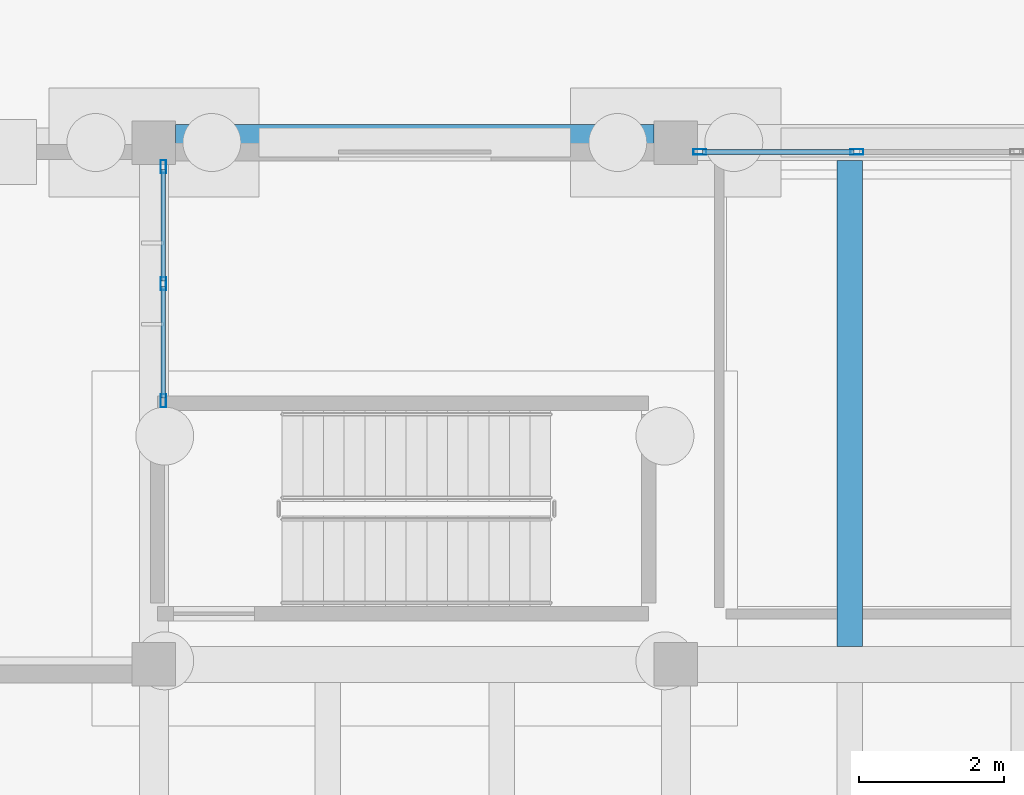
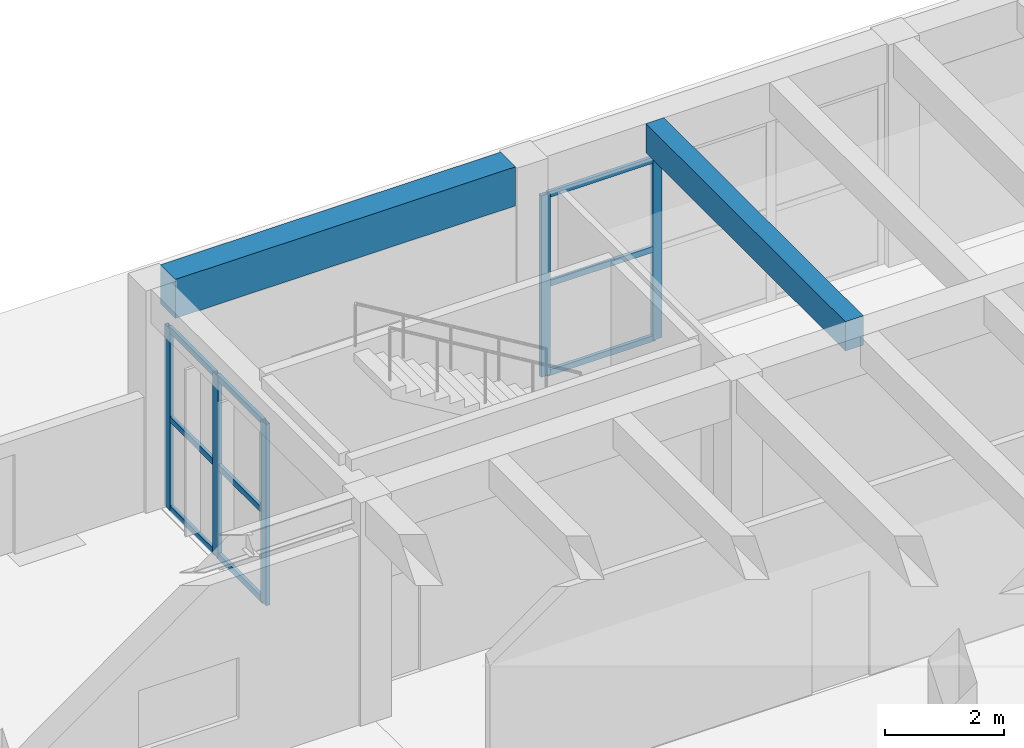
# One storey, part 52 of 155: 14 members, 2 beams, 2 elements without a shape of their own.
"""IFC4 building model written with IfcOpenShell, lengths in metres."""

from ifc_helpers import new_model, si_unit, direction, frame, origin, origin_2d, place, context, subcontext, project, spatial, rectangle, hollow_rectangle, extrude, material, material_profile, profile_set, type_object, element, aggregate, save


model = new_model("IFC4")

# Units and contexts
model_context = context("Model", 3, precision=1e-05, world=origin(), true_north=direction((0.0, 1.0)))
body_context = subcontext(model_context, "Body", "Model", "MODEL_VIEW")
ifc_project = project(units=[si_unit("LENGTHUNIT", "METRE"), si_unit("AREAUNIT", "SQUARE_METRE"), si_unit("VOLUMEUNIT", "CUBIC_METRE"), si_unit("PLANEANGLEUNIT", "RADIAN"), si_unit("MASSUNIT", "GRAM", prefix="KILO")], contexts=[model_context])

# Site, building, storey
site_placement = place(None, origin())
site = spatial("IfcSite", under=ifc_project, at=site_placement, CompositionType="ELEMENT")
building_placement = place(site_placement, origin())
building = spatial("IfcBuilding", under=site, at=building_placement, Name="Bramvelor Terrace Health Centre", CompositionType="ELEMENT")
storey_placement = place(building_placement, origin())
storey = spatial("IfcBuildingStorey", under=building, at=storey_placement, Name="L01", CompositionType="ELEMENT", Elevation=0.0)

# Beams
ifc_material_1 = material(Name="Concrete C40/50", Category="concrete")
ifc_material_profile_1 = material_profile(ifc_material_1, rectangle(XDim=0.5, YDim=0.800048828125, at=origin_2d()), Name="RC 500x800")
ifc_profile_set_1 = profile_set([ifc_material_profile_1], Name="Concrete C40/50")
beam_type_1 = type_object("IfcBeamType", Name="BM-RC-G800", PredefinedType="BEAM", material=ifc_profile_set_1)
beam_1_placement = place(storey_placement, frame((101.10009765625, 64.800048828125, 4.159912109375), z_axis=(1.0, 0.0, 0.0), x_axis=(0.0, 1.0, 0.0)))
element("IfcBeam", 1, at=beam_1_placement, inside=storey, type_object=beam_type_1, Name="L01 Floor Girder", PredefinedType="BEAM", context=body_context, shape_type="SweptSolid", body=[
    extrude(rectangle(XDim=0.5, YDim=0.800048828125, at=origin_2d()), origin(), (0.0, 0.0, 1.0), 6.599853515625),
])
ifc_material_2 = material(Name="Concrete C40/50", Category="concrete")
ifc_material_profile_2 = material_profile(ifc_material_2, rectangle(XDim=0.35009765625, YDim=0.60009765625, at=origin_2d()), Name="RC 350x600")
ifc_profile_set_2 = profile_set([ifc_material_profile_2], Name="Concrete C40/50")
beam_type_2 = type_object("IfcBeamType", Name="BM-RC-J600", PredefinedType="JOIST", material=ifc_profile_set_2)
beam_2_placement = place(storey_placement, frame((110.39990234375, 57.85009765625, 4.260009765625), z_axis=(0.0, 1.0, 0.0), x_axis=(-1.0, 0.0, 0.0)))
element("IfcBeam", 2, at=beam_2_placement, inside=storey, type_object=beam_type_2, Name="L01 Secondary Floor Joist", PredefinedType="JOIST", context=body_context, shape_type="SweptSolid", body=[
    extrude(rectangle(XDim=0.35009765625, YDim=0.60009765625, at=origin_2d()), origin(), (0.0, 0.0, 1.0), 6.699951171875),
])

# Curtain wall, members
ifc_material_3 = material(Name="Anodized aluminium and double low-E glass", Category="aluminium")
curtain_wall_type_1 = type_object("IfcCurtainWallType", Name="CW-SYS-06", PredefinedType="NOTDEFINED", material=ifc_material_3)
curtain_wall_1_placement = place(storey_placement, origin())
curtain_wall_1 = element("IfcCurtainWall", 3, at=curtain_wall_1_placement, inside=storey, type_object=curtain_wall_type_1, Name="L01 Unitized Curtain Wall 36", PredefinedType="NOTDEFINED")
ifc_material_4 = material(Name="Anodized aluminium 6063-T6", Category="aluminium")
ifc_material_profile_3 = material_profile(ifc_material_4, hollow_rectangle(XDim=0.074951171875, YDim=0.179931640625, WallThickness=0.00341796875, at=origin_2d()), Name="ALU-MUL 75x180x3.5")
ifc_profile_set_3 = profile_set([ifc_material_profile_3], Name="Anodized aluminium 6063-T6")
member_type_1 = type_object("IfcMemberType", Name="CW-MUL-65x180", PredefinedType="MULLION", material=ifc_profile_set_3)
member_1_placement = place(storey_placement, frame((100.929931640625, 61.237548828125, 0.0), z_axis=(0.0, 0.0, 1.0), x_axis=(-1.0, 0.0, 0.0)))
member_1 = element("IfcMember", 4, at=member_1_placement, type_object=member_type_1, Name="CW-06 mullion 1", PredefinedType="MULLION", context=body_context, shape_type="SweptSolid", body=[
    extrude(hollow_rectangle(XDim=0.074951171875, YDim=0.179931640625, WallThickness=0.00341796875, at=origin_2d()), origin(), (0.0, 0.0, 1.0), 3.719970703125),
])
member_2_placement = place(storey_placement, frame((100.929931640625, 62.8525390625, 0.0), z_axis=(0.0, 0.0, 1.0), x_axis=(-1.0, 0.0, 0.0)))
member_2 = element("IfcMember", 5, at=member_2_placement, type_object=member_type_1, Name="CW-06 mullion 2", PredefinedType="MULLION", context=body_context, shape_type="SweptSolid", body=[
    extrude(hollow_rectangle(XDim=0.074951171875, YDim=0.179931640625, WallThickness=0.00341796875, at=origin_2d()), origin(), (0.0, 0.0, 1.0), 3.719970703125),
])
member_3_placement = place(storey_placement, frame((100.929931640625, 64.467529296875, 0.0), z_axis=(0.0, 0.0, 1.0), x_axis=(-1.0, 0.0, 0.0)))
member_3 = element("IfcMember", 6, at=member_3_placement, type_object=member_type_1, Name="CW-06 mullion 3", PredefinedType="MULLION", context=body_context, shape_type="SweptSolid", body=[
    extrude(hollow_rectangle(XDim=0.074951171875, YDim=0.179931640625, WallThickness=0.00341796875, at=origin_2d()), origin(), (0.0, 0.0, 1.0), 3.719970703125),
])

ifc_material_5 = material(Name="Anodized aluminium and double low-E glass", Category="aluminium")
curtain_wall_type_2 = type_object("IfcCurtainWallType", Name="CW-SYS-02", PredefinedType="NOTDEFINED", material=ifc_material_5)
curtain_wall_2_placement = place(storey_placement, origin())
curtain_wall_2 = element("IfcCurtainWall", 7, at=curtain_wall_2_placement, inside=storey, type_object=curtain_wall_type_2, Name="L01 Unitized Curtain Wall 37", PredefinedType="NOTDEFINED")
member_4_placement = place(storey_placement, frame((108.33251953125, 64.669921875, 0.0), z_axis=(0.0, 0.0, 1.0), x_axis=(0.0, 1.0, 0.0)))
member_4 = element("IfcMember", 8, at=member_4_placement, type_object=member_type_1, Name="CW-02 mullion 1", PredefinedType="MULLION", context=body_context, shape_type="SweptSolid", body=[
    extrude(hollow_rectangle(XDim=0.074951171875, YDim=0.179931640625, WallThickness=0.00341796875, at=origin_2d()), origin(), (0.0, 0.0, 1.0), 3.719970703125),
])
member_5_placement = place(storey_placement, frame((110.498291015625, 64.669921875, 0.0), z_axis=(0.0, 0.0, 1.0), x_axis=(0.0, 1.0, 0.0)))
member_5 = element("IfcMember", 9, at=member_5_placement, type_object=member_type_1, Name="CW-02 mullion 2", PredefinedType="MULLION", context=body_context, shape_type="SweptSolid", body=[
    extrude(hollow_rectangle(XDim=0.074951171875, YDim=0.179931640625, WallThickness=0.00341796875, at=origin_2d()), origin(), (0.0, 0.0, 1.0), 3.719970703125),
])

# Member
ifc_material_6 = material(Name="Anodized aluminium 6063-T6", Category="aluminium")
ifc_material_profile_4 = material_profile(ifc_material_6, hollow_rectangle(XDim=0.06494140625, YDim=0.1201171875, WallThickness=0.0029296875, at=origin_2d()), Name="ALU-TRN 65x120x3.0")
ifc_profile_set_4 = profile_set([ifc_material_profile_4], Name="Anodized aluminium 6063-T6")
member_type_2 = type_object("IfcMemberType", Name="CW-TRN-65x150", PredefinedType="USERDEFINED", material=ifc_profile_set_4)
member_6_placement = place(storey_placement, frame((100.929931640625, 61.27490234375, 0.032470703125), z_axis=(0.0, 1.0, 0.0), x_axis=(-1.0, 0.0, 0.0)))
member_6 = element("IfcMember", 10, at=member_6_placement, type_object=member_type_2, Name="CW-06 transom 1.1", ObjectType="TRANSOM", PredefinedType="USERDEFINED", context=body_context, shape_type="SweptSolid", body=[
    extrude(hollow_rectangle(XDim=0.06494140625, YDim=0.1201171875, WallThickness=0.0029296875, at=origin_2d()), origin(), (0.0, 0.0, 1.0), 1.5400390625),
])

member_7_placement = place(storey_placement, frame((100.929931640625, 61.27490234375, 1.860107421875), z_axis=(0.0, 1.0, 0.0), x_axis=(-1.0, 0.0, 0.0)))
member_7 = element("IfcMember", 11, at=member_7_placement, type_object=member_type_2, Name="CW-06 transom 1.2", ObjectType="TRANSOM", PredefinedType="USERDEFINED", context=body_context, shape_type="SweptSolid", body=[
    extrude(hollow_rectangle(XDim=0.06494140625, YDim=0.1201171875, WallThickness=0.0029296875, at=origin_2d()), origin(), (0.0, 0.0, 1.0), 1.5400390625),
])

member_8_placement = place(storey_placement, frame((100.929931640625, 61.27490234375, 3.6875), z_axis=(0.0, 1.0, 0.0), x_axis=(-1.0, 0.0, 0.0)))
member_8 = element("IfcMember", 12, at=member_8_placement, type_object=member_type_2, Name="CW-06 transom 1.3", ObjectType="TRANSOM", PredefinedType="USERDEFINED", context=body_context, shape_type="SweptSolid", body=[
    extrude(hollow_rectangle(XDim=0.06494140625, YDim=0.1201171875, WallThickness=0.0029296875, at=origin_2d()), origin(), (0.0, 0.0, 1.0), 1.5400390625),
])

member_9_placement = place(storey_placement, frame((100.929931640625, 62.889892578125, 0.032470703125), z_axis=(0.0, 1.0, 0.0), x_axis=(-1.0, 0.0, 0.0)))
member_9 = element("IfcMember", 13, at=member_9_placement, type_object=member_type_2, Name="CW-06 transom 2.1", ObjectType="TRANSOM", PredefinedType="USERDEFINED", context=body_context, shape_type="SweptSolid", body=[
    extrude(hollow_rectangle(XDim=0.06494140625, YDim=0.1201171875, WallThickness=0.0029296875, at=origin_2d()), origin(), (0.0, 0.0, 1.0), 1.5400390625),
])

member_10_placement = place(storey_placement, frame((100.929931640625, 62.889892578125, 1.860107421875), z_axis=(0.0, 1.0, 0.0), x_axis=(-1.0, 0.0, 0.0)))
member_10 = element("IfcMember", 14, at=member_10_placement, type_object=member_type_2, Name="CW-06 transom 2.2", ObjectType="TRANSOM", PredefinedType="USERDEFINED", context=body_context, shape_type="SweptSolid", body=[
    extrude(hollow_rectangle(XDim=0.06494140625, YDim=0.1201171875, WallThickness=0.0029296875, at=origin_2d()), origin(), (0.0, 0.0, 1.0), 1.5400390625),
])

member_11_placement = place(storey_placement, frame((100.929931640625, 62.889892578125, 3.6875), z_axis=(0.0, 1.0, 0.0), x_axis=(-1.0, 0.0, 0.0)))
member_11 = element("IfcMember", 15, at=member_11_placement, type_object=member_type_2, Name="CW-06 transom 2.3", ObjectType="TRANSOM", PredefinedType="USERDEFINED", context=body_context, shape_type="SweptSolid", body=[
    extrude(hollow_rectangle(XDim=0.06494140625, YDim=0.1201171875, WallThickness=0.0029296875, at=origin_2d()), origin(), (0.0, 0.0, 1.0), 1.5400390625),
])

aggregate(curtain_wall_1, [member_1, member_2, member_3, member_6, member_7, member_8, member_9, member_10, member_11])

member_12_placement = place(storey_placement, frame((108.3701171875, 64.669921875, 0.032470703125), z_axis=(1.0, 0.0, 0.0), x_axis=(0.0, 1.0, 0.0)))
member_12 = element("IfcMember", 16, at=member_12_placement, type_object=member_type_2, Name="CW-02 transom 1.1", ObjectType="TRANSOM", PredefinedType="USERDEFINED", context=body_context, shape_type="SweptSolid", body=[
    extrude(hollow_rectangle(XDim=0.06494140625, YDim=0.1201171875, WallThickness=0.0029296875, at=origin_2d()), origin(), (0.0, 0.0, 1.0), 2.0908203125),
])

member_13_placement = place(storey_placement, frame((108.3701171875, 64.669921875, 1.860107421875), z_axis=(1.0, 0.0, 0.0), x_axis=(0.0, 1.0, 0.0)))
member_13 = element("IfcMember", 17, at=member_13_placement, type_object=member_type_2, Name="CW-02 transom 1.2", ObjectType="TRANSOM", PredefinedType="USERDEFINED", context=body_context, shape_type="SweptSolid", body=[
    extrude(hollow_rectangle(XDim=0.06494140625, YDim=0.1201171875, WallThickness=0.0029296875, at=origin_2d()), origin(), (0.0, 0.0, 1.0), 2.0908203125),
])

member_14_placement = place(storey_placement, frame((108.3701171875, 64.669921875, 3.6875), z_axis=(1.0, 0.0, 0.0), x_axis=(0.0, 1.0, 0.0)))
member_14 = element("IfcMember", 18, at=member_14_placement, type_object=member_type_2, Name="CW-02 transom 1.3", ObjectType="TRANSOM", PredefinedType="USERDEFINED", context=body_context, shape_type="SweptSolid", body=[
    extrude(hollow_rectangle(XDim=0.06494140625, YDim=0.1201171875, WallThickness=0.0029296875, at=origin_2d()), origin(), (0.0, 0.0, 1.0), 2.0908203125),
])

aggregate(curtain_wall_2, [member_4, member_5, member_12, member_13, member_14])

save(model, "model.ifc")
